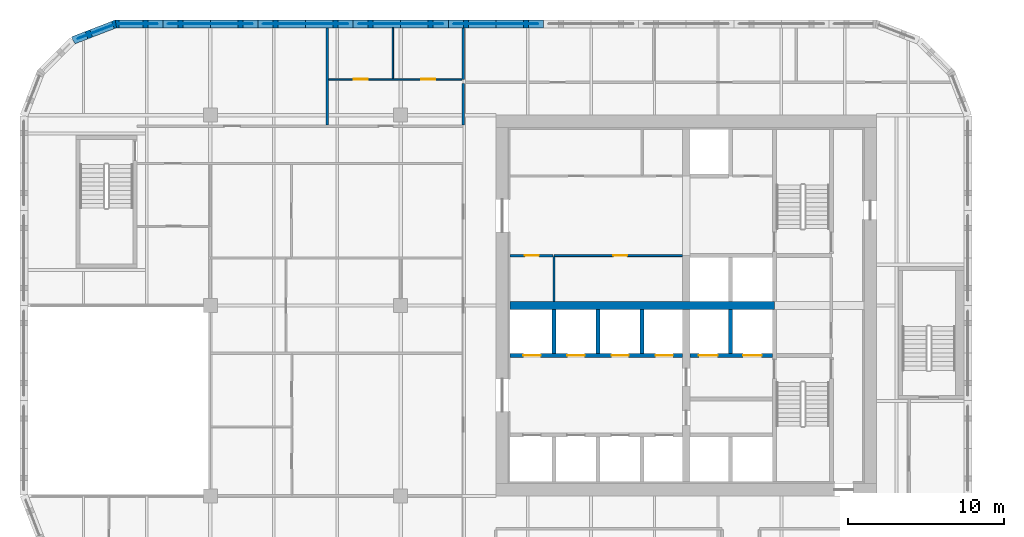
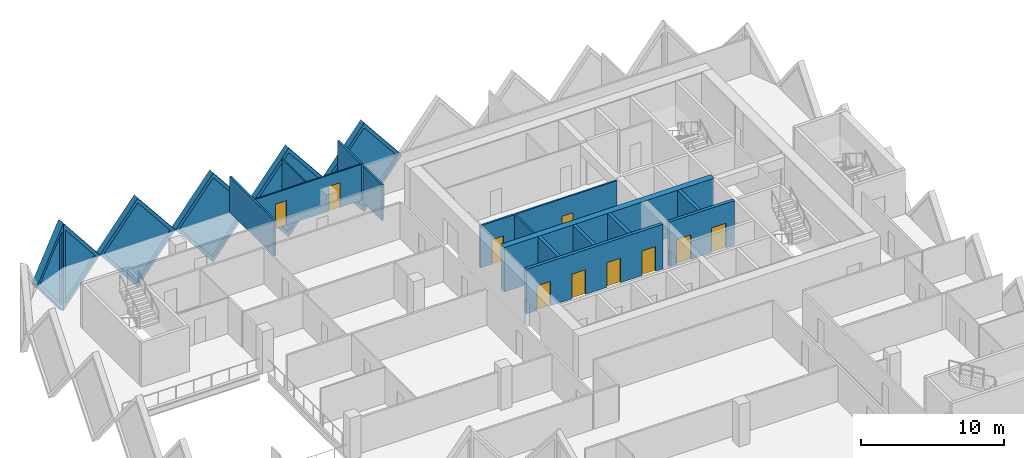
# One storey, part 9 of 19: 21 walls, 10 doors, 6 plates, 16 openings.
"""IFC4 building model written with IfcOpenShell, lengths in metres."""

from ifc_helpers import new_model, si_unit, direction, frame, frame_2d, origin, place, context, subcontext, project, spatial, polyline, rectangle, outline, extrude, faceted_brep, source, transform, mapped, material, layer, layer_set, type_object, element, fill, save


model = new_model("IFC4")

# Units and contexts
model_context = context("Model", 3, precision=1e-05, world=origin(), true_north=direction((0.0, 1.0)))
body_context = subcontext(model_context, "Body", "Model", "MODEL_VIEW")
ifc_project = project(units=[si_unit("LENGTHUNIT", "METRE"), si_unit("AREAUNIT", "SQUARE_METRE"), si_unit("VOLUMEUNIT", "CUBIC_METRE"), si_unit("PLANEANGLEUNIT", "RADIAN"), si_unit("MASSUNIT", "GRAM", prefix="KILO")], contexts=[model_context])

# Site, building, storey
site_placement = place(None, origin())
site = spatial("IfcSite", under=ifc_project, at=site_placement, CompositionType="ELEMENT")
building_placement = place(site_placement, origin())
building = spatial("IfcBuilding", under=site, at=building_placement, Name="Tessera Gate Towers", CompositionType="ELEMENT")
storey_placement = place(building_placement, frame((0.0, 0.0, 76.199951171875)))
storey = spatial("IfcBuildingStorey", under=building, at=storey_placement, Name="L18", CompositionType="ELEMENT", Elevation=76.199951171875)

# Wall, openings, doors
ifc_material_1 = material(Name="Concrete C40/50", Category="concrete")
ifc_layer_1 = layer(ifc_material_1, 0.25)
ifc_layer_set_1 = layer_set([ifc_layer_1], Name="CORE ENCLOSURE WALL 250")
wall_type_1 = type_object("IfcWallType", Name="CORE ENCLOSURE WALL 250", PredefinedType="SOLIDWALL", material=ifc_layer_set_1)
wall_1_placement = place(storey_placement, frame((42.449951171875, 33.39990234375, 0.0), z_axis=(0.0, 0.0, 1.0), x_axis=(-1.0, 0.0, 0.0)))
wall_1 = element("IfcWall", 1, at=wall_1_placement, inside=storey, type_object=wall_type_1, Name="L18 shaft and stair enclosure wall", PredefinedType="SOLIDWALL", context=body_context, shape_type="SweptSolid", body=[
    extrude(rectangle(XDim=11.050048828125, YDim=0.25, at=frame_2d((5.52490234375, 0.0))), origin(), (0.0, 0.0, 1.0), 3.800048828125),
])
shared_shape_1 = source(origin(), body_context, "Body", "SweptSolid", [
    extrude(rectangle(XDim=1.10009765625, YDim=2.10009765625, at=frame_2d((0.550048828125, 1.050048828125))), frame((0.0, 0.135009765625, 0.0), z_axis=(0.0, -1.0, 0.0), x_axis=(1.0, 0.0, 0.0)), (0.0, 0.0, 1.0), 0.27001953125),
])
opening_1_placement = place(wall_1_placement, frame((9.08740234375, 0.0, 0.0)))
opening_1 = element("IfcOpeningElement", 2, at=opening_1_placement, cuts=wall_1, Name="Opening LD-LR5", PredefinedType="OPENING", context=body_context, shape_type="MappedRepresentation", body=[
    mapped(shared_shape_1, transform((0.0, 0.0, 0.0), scale=1.0)),
])
opening_2_placement = place(wall_1_placement, frame((6.262451171875, 0.0, 0.0)))
opening_2 = element("IfcOpeningElement", 3, at=opening_2_placement, cuts=wall_1, Name="Opening LD-LR6", PredefinedType="OPENING", context=body_context, shape_type="MappedRepresentation", body=[
    mapped(shared_shape_1, transform((0.0, 0.0, 0.0), scale=1.0)),
])
opening_3_placement = place(wall_1_placement, frame((3.4375, 0.0, 0.0)))
opening_3 = element("IfcOpeningElement", 4, at=opening_3_placement, cuts=wall_1, Name="Opening LD-LR7", PredefinedType="OPENING", context=body_context, shape_type="MappedRepresentation", body=[
    mapped(shared_shape_1, transform((0.0, 0.0, 0.0), scale=1.0)),
])
opening_4_placement = place(wall_1_placement, frame((0.612548828125, 0.0, 0.0)))
opening_4 = element("IfcOpeningElement", 5, at=opening_4_placement, cuts=wall_1, Name="Opening LD-LR8", PredefinedType="OPENING", context=body_context, shape_type="MappedRepresentation", body=[
    mapped(shared_shape_1, transform((0.0, 0.0, 0.0), scale=1.0)),
])
ifc_material_2 = material(Name="Stainless steel", Category="steel")
door_type_1 = type_object("IfcDoorType", Name="CORE DOOR LD 1100x2100", OperationType="DOUBLE_DOOR_SLIDING", PredefinedType="DOOR", material=ifc_material_2)
shared_shape_2 = source(origin(), body_context, "Body", "SweptSolid", [
    extrude(rectangle(XDim=1.10009765625, YDim=2.10009765625, at=frame_2d((0.550048828125, 1.050048828125))), frame((0.0, 0.02490234375, 0.0), z_axis=(0.0, -1.0, 0.0), x_axis=(1.0, 0.0, 0.0)), (0.0, 0.0, 1.0), 0.050048828125),
])
door_1_placement = place(opening_1_placement, origin())
door_1 = element("IfcDoor", 6, at=door_1_placement, inside=storey, type_object=door_type_1, Name="Landing door LR5 L18", OperationType="DOUBLE_DOOR_SLIDING", OverallHeight=2.10009765625, OverallWidth=1.10009765625, PredefinedType="DOOR", context=body_context, shape_type="MappedRepresentation", body=[
    mapped(shared_shape_2, transform((0.0, 0.0, 0.0), scale=1.0)),
])
fill(opening_1, door_1)
door_2_placement = place(opening_2_placement, origin())
door_2 = element("IfcDoor", 7, at=door_2_placement, inside=storey, type_object=door_type_1, Name="Landing door LR6 L18", OperationType="DOUBLE_DOOR_SLIDING", OverallHeight=2.10009765625, OverallWidth=1.10009765625, PredefinedType="DOOR", context=body_context, shape_type="MappedRepresentation", body=[
    mapped(shared_shape_2, transform((0.0, 0.0, 0.0), scale=1.0)),
])
fill(opening_2, door_2)
door_3_placement = place(opening_3_placement, origin())
door_3 = element("IfcDoor", 8, at=door_3_placement, inside=storey, type_object=door_type_1, Name="Landing door LR7 L18", OperationType="DOUBLE_DOOR_SLIDING", OverallHeight=2.10009765625, OverallWidth=1.10009765625, PredefinedType="DOOR", context=body_context, shape_type="MappedRepresentation", body=[
    mapped(shared_shape_2, transform((0.0, 0.0, 0.0), scale=1.0)),
])
fill(opening_3, door_3)
door_4_placement = place(opening_4_placement, origin())
door_4 = element("IfcDoor", 9, at=door_4_placement, inside=storey, type_object=door_type_1, Name="Landing door LR8 L18", OperationType="DOUBLE_DOOR_SLIDING", OverallHeight=2.10009765625, OverallWidth=1.10009765625, PredefinedType="DOOR", context=body_context, shape_type="MappedRepresentation", body=[
    mapped(shared_shape_2, transform((0.0, 0.0, 0.0), scale=1.0)),
])
fill(opening_4, door_4)

wall_2_placement = place(storey_placement, frame((48.22509765625, 33.39990234375, 0.0), z_axis=(0.0, 0.0, 1.0), x_axis=(-1.0, 0.0, 0.0)))
wall_2 = element("IfcWall", 10, at=wall_2_placement, inside=storey, type_object=wall_type_1, Name="L18 shaft and stair enclosure wall", PredefinedType="SOLIDWALL", context=body_context, shape_type="SweptSolid", body=[
    extrude(rectangle(XDim=5.275146484375, YDim=0.25, at=frame_2d((2.6376953125, 0.0))), origin(), (0.0, 0.0, 1.0), 3.800048828125),
])
shared_shape_3 = source(origin(), body_context, "Body", "SweptSolid", [
    extrude(rectangle(XDim=1.199951171875, YDim=2.10009765625, at=frame_2d((0.60009765625, 1.050048828125))), frame((0.0, 0.135009765625, 0.0), z_axis=(0.0, -1.0, 0.0), x_axis=(1.0, 0.0, 0.0)), (0.0, 0.0, 1.0), 0.27001953125),
])
opening_5_placement = place(wall_2_placement, frame((3.512451171875, 0.0, 0.0)))
opening_5 = element("IfcOpeningElement", 11, at=opening_5_placement, cuts=wall_2, Name="Opening LD-FF1", PredefinedType="OPENING", context=body_context, shape_type="MappedRepresentation", body=[
    mapped(shared_shape_3, transform((0.0, 0.0, 0.0), scale=1.0)),
])
opening_6_placement = place(wall_2_placement, frame((0.6875, 0.0, 0.0)))
opening_6 = element("IfcOpeningElement", 12, at=opening_6_placement, cuts=wall_2, Name="Opening LD-FF2", PredefinedType="OPENING", context=body_context, shape_type="MappedRepresentation", body=[
    mapped(shared_shape_3, transform((0.0, 0.0, 0.0), scale=1.0)),
])
ifc_material_3 = material(Name="Stainless steel", Category="steel")
door_type_2 = type_object("IfcDoorType", Name="CORE DOOR LD1200 1200x2100", OperationType="DOUBLE_DOOR_SLIDING", PredefinedType="DOOR", material=ifc_material_3)
shared_shape_4 = source(origin(), body_context, "Body", "SweptSolid", [
    extrude(rectangle(XDim=1.199951171875, YDim=2.10009765625, at=frame_2d((0.60009765625, 1.050048828125))), frame((0.0, 0.02490234375, 0.0), z_axis=(0.0, -1.0, 0.0), x_axis=(1.0, 0.0, 0.0)), (0.0, 0.0, 1.0), 0.050048828125),
])
door_5_placement = place(opening_5_placement, origin())
door_5 = element("IfcDoor", 13, at=door_5_placement, inside=storey, type_object=door_type_2, Name="Landing door FF1 L18", OperationType="DOUBLE_DOOR_SLIDING", OverallHeight=2.10009765625, OverallWidth=1.199951171875, PredefinedType="DOOR", context=body_context, shape_type="MappedRepresentation", body=[
    mapped(shared_shape_4, transform((0.0, 0.0, 0.0), scale=1.0)),
])
fill(opening_5, door_5)
door_6_placement = place(opening_6_placement, origin())
door_6 = element("IfcDoor", 14, at=door_6_placement, inside=storey, type_object=door_type_2, Name="Landing door FF2 L18", OperationType="DOUBLE_DOOR_SLIDING", OverallHeight=2.10009765625, OverallWidth=1.199951171875, PredefinedType="DOOR", context=body_context, shape_type="MappedRepresentation", body=[
    mapped(shared_shape_4, transform((0.0, 0.0, 0.0), scale=1.0)),
])
fill(opening_6, door_6)

# Walls
for number, where, z_axis, x_axis, name in (
    (15, (45.52490234375, 33.52490234375, 0.0), (0.0, 0.0, 1.0), (0.0, 1.0, 0.0), "L18 shaft and stair enclosure wall"),
    (16, (34.22509765625, 33.52490234375, 0.0), (0.0, 0.0, 1.0), (0.0, 1.0, 0.0), "L18 shaft and stair enclosure wall"),
    (17, (37.050048828125, 33.52490234375, 0.0), (0.0, 0.0, 1.0), (0.0, 1.0, 0.0), "L18 shaft and stair enclosure wall"),
    (18, (39.875, 33.52490234375, 0.0), (0.0, 0.0, 1.0), (0.0, 1.0, 0.0), "L18 shaft and stair enclosure wall"),
):
    element("IfcWall", number, at=place(storey_placement, frame(where, z_axis=z_axis, x_axis=x_axis)), inside=storey, type_object=wall_type_1, Name=name, PredefinedType="SOLIDWALL", context=body_context, shape_type="SweptSolid", body=[
        extrude(rectangle(XDim=2.8251953125, YDim=0.25, at=frame_2d((1.41259765625, 0.0))), origin(), (0.0, 0.0, 1.0), 3.800048828125),
    ])

# Wall, opening, door
ifc_material_4 = material(Name="Gypsum board on steel studs", Category="steel")
ifc_layer_2 = layer(ifc_material_4, 0.1201171875)
ifc_layer_set_2 = layer_set([ifc_layer_2], Name="CORE PARTITION 120")
wall_type_2 = type_object("IfcWallType", Name="CORE PARTITION 120", PredefinedType="PARTITIONING", material=ifc_layer_set_2)
wall_3_placement = place(storey_placement, frame((42.449951171875, 39.800048828125, 0.0), z_axis=(0.0, 0.0, 1.0), x_axis=(-1.0, 0.0, 0.0)))
wall_3 = element("IfcWall", 19, at=wall_3_placement, inside=storey, type_object=wall_type_2, Name="L18 core partition", PredefinedType="PARTITIONING", context=body_context, shape_type="SweptSolid", body=[
    extrude(rectangle(XDim=8.224853515625, YDim=0.1201171875, at=frame_2d((4.1123046875, 0.0))), origin(), (0.0, 0.0, 1.0), 3.60009765625),
])
shared_shape_5 = source(origin(), body_context, "Body", "SweptSolid", [
    extrude(rectangle(XDim=0.89990234375, YDim=2.10009765625, at=frame_2d((0.449951171875, 1.050048828125))), frame((0.0, 0.070068359375, 0.0), z_axis=(0.0, -1.0, 0.0), x_axis=(1.0, 0.0, 0.0)), (0.0, 0.0, 1.0), 0.14013671875),
])
opening_7_placement = place(wall_3_placement, frame((3.53759765625, 0.0, 0.0)))
opening_7 = element("IfcOpeningElement", 20, at=opening_7_placement, cuts=wall_3, Name="Opening RD-T1-13-09", PredefinedType="OPENING", context=body_context, shape_type="MappedRepresentation", body=[
    mapped(shared_shape_5, transform((0.0, 0.0, 0.0), scale=1.0)),
])
ifc_material_5 = material(Name="Hollow steel fire door", Category="steel")
door_type_3 = type_object("IfcDoorType", Name="CORE DOOR RD 900x2100", OperationType="NOTDEFINED", PredefinedType="DOOR", material=ifc_material_5)
shared_shape_6 = source(origin(), body_context, "Body", "SweptSolid", [
    extrude(rectangle(XDim=0.89990234375, YDim=2.10009765625, at=frame_2d((0.449951171875, 1.050048828125))), frame((0.0, 0.02490234375, 0.0), z_axis=(0.0, -1.0, 0.0), x_axis=(1.0, 0.0, 0.0)), (0.0, 0.0, 1.0), 0.050048828125),
])
door_7_placement = place(opening_7_placement, origin())
door_7 = element("IfcDoor", 21, at=door_7_placement, inside=storey, type_object=door_type_3, Name="Core room door", OperationType="SINGLE_SWING_LEFT", OverallHeight=2.10009765625, OverallWidth=0.89990234375, PredefinedType="DOOR", context=body_context, shape_type="MappedRepresentation", body=[
    mapped(shared_shape_6, transform((0.0, 0.0, 0.0), scale=1.0)),
])
fill(opening_7, door_7)

# Walls
ifc_material_6 = material(Name="Concrete C60/75", Category="concrete")
ifc_layer_3 = layer(ifc_material_6, 0.5)
ifc_layer_set_3 = layer_set([ifc_layer_3], Name="CORE SPINE WALL 500 C60/75")
wall_type_3 = type_object("IfcWallType", Name="CORE SPINE WALL 500 C60/75", PredefinedType="SHEAR", material=ifc_layer_set_3)
wall_4_placement = place(storey_placement, frame((31.39990234375, 36.60009765625, 0.0), z_axis=(0.0, 0.0, 1.0), x_axis=(1.0, 0.0, 0.0)))
element("IfcWall", 22, at=wall_4_placement, inside=storey, type_object=wall_type_3, Name="Core wall spine L18", PredefinedType="SHEAR", context=body_context, shape_type="SweptSolid", body=[
    extrude(rectangle(XDim=16.9501953125, YDim=0.5, at=frame_2d((8.47509765625, 0.0))), origin(), (0.0, 0.0, 1.0), 3.800048828125),
])
ifc_material_7 = material(Name="Gypsum board on steel studs, mineral wool", Category="steel")
ifc_layer_4 = layer(ifc_material_7, 0.14990234375)
ifc_layer_set_4 = layer_set([ifc_layer_4], Name="CORRIDOR WALL 150")
wall_type_4 = type_object("IfcWallType", Name="CORRIDOR WALL 150", PredefinedType="PARTITIONING", material=ifc_layer_set_4)
wall_5_placement = place(storey_placement, frame((28.39990234375, 48.176025390625, 0.0), z_axis=(0.0, 0.0, 1.0), x_axis=(0.0, 1.0, 0.0)))
element("IfcWall", 23, at=wall_5_placement, inside=storey, type_object=wall_type_4, Name="T1-L18-PW-045", PredefinedType="PARTITIONING", context=body_context, shape_type="SweptSolid", body=[
    extrude(rectangle(XDim=2.64794921875, YDim=0.14990234375, at=frame_2d((1.323974609375, 0.0))), origin(), (0.0, 0.0, 1.0), 3.067138671875),
])

# Wall, openings, doors
ifc_material_8 = material(Name="Gypsum board on steel studs", Category="steel")
ifc_layer_5 = layer(ifc_material_8, 0.10009765625)
ifc_layer_set_5 = layer_set([ifc_layer_5], Name="PARTITION 100")
wall_type_5 = type_object("IfcWallType", Name="PARTITION 100", PredefinedType="PARTITIONING", material=ifc_layer_set_5)
wall_6_placement = place(storey_placement, frame((19.77587890625, 51.10009765625, 0.0), z_axis=(0.0, 0.0, 1.0), x_axis=(1.0, 0.0, 0.0)))
wall_6 = element("IfcWall", 24, at=wall_6_placement, inside=storey, type_object=wall_type_5, Name="T1-L18-PW-049", PredefinedType="PARTITIONING", context=body_context, shape_type="SweptSolid", body=[
    extrude(rectangle(XDim=8.548095703125, YDim=0.10009765625, at=frame_2d((4.27392578125, 0.0))), origin(), (0.0, 0.0, 1.0), 3.067138671875),
])
shared_shape_7 = source(origin(), body_context, "Body", "SweptSolid", [
    extrude(rectangle(XDim=0.89990234375, YDim=2.10009765625, at=frame_2d((0.449951171875, 1.050048828125))), frame((0.0, 0.06005859375, 0.0), z_axis=(0.0, -1.0, 0.0), x_axis=(1.0, 0.0, 0.0)), (0.0, 0.0, 1.0), 0.1201171875),
])
opening_8_placement = place(wall_6_placement, frame((1.60009765625, 0.0, 0.0)))
opening_8 = element("IfcOpeningElement", 25, at=opening_8_placement, cuts=wall_6, Name="Opening D190-A06-01", PredefinedType="OPENING", context=body_context, shape_type="MappedRepresentation", body=[
    mapped(shared_shape_7, transform((0.0, 0.0, 0.0), scale=1.0)),
])
opening_9_placement = place(wall_6_placement, frame((5.927001953125, 0.0, 0.0)))
opening_9 = element("IfcOpeningElement", 26, at=opening_9_placement, cuts=wall_6, Name="Opening D190-A06-03", PredefinedType="OPENING", context=body_context, shape_type="MappedRepresentation", body=[
    mapped(shared_shape_7, transform((0.0, 0.0, 0.0), scale=1.0)),
])
ifc_material_9 = material(Name="Timber door leaf in steel frame", Category="steel")
door_type_4 = type_object("IfcDoorType", Name="INTERNAL DOOR 900 NOT RATED", OperationType="NOTDEFINED", PredefinedType="DOOR", material=ifc_material_9)
door_8_placement = place(opening_8_placement, origin())
door_8 = element("IfcDoor", 27, at=door_8_placement, inside=storey, type_object=door_type_4, Name="T1-L18-PD-002", OperationType="SINGLE_SWING_LEFT", OverallHeight=2.10009765625, OverallWidth=0.89990234375, PredefinedType="DOOR", context=body_context, shape_type="MappedRepresentation", body=[
    mapped(shared_shape_6, transform((0.0, 0.0, 0.0), scale=1.0)),
])
fill(opening_8, door_8)
door_9_placement = place(opening_9_placement, origin())
door_9 = element("IfcDoor", 28, at=door_9_placement, inside=storey, type_object=door_type_4, Name="T1-L18-PD-005", OperationType="SINGLE_SWING_LEFT", OverallHeight=2.10009765625, OverallWidth=0.89990234375, PredefinedType="DOOR", context=body_context, shape_type="MappedRepresentation", body=[
    mapped(shared_shape_6, transform((0.0, 0.0, 0.0), scale=1.0)),
])
fill(opening_9, door_9)

# Walls
wall_7_placement = place(storey_placement, frame((23.903076171875, 51.15087890625, 0.0), z_axis=(0.0, 0.0, 1.0), x_axis=(0.0, 1.0, 0.0)))
element("IfcWall", 29, at=wall_7_placement, inside=storey, type_object=wall_type_5, Name="T1-L18-PW-051", PredefinedType="PARTITIONING", context=body_context, shape_type="SweptSolid", body=[
    extrude(rectangle(XDim=3.2490234375, YDim=0.10009765625, at=frame_2d((1.62451171875, 0.0))), origin(), (0.0, 0.0, 1.0), 3.067138671875),
])
ifc_material_10 = material(Name="Gypsum board on steel studs", Category="steel")
ifc_layer_6 = layer(ifc_material_10, 0.14990234375)
ifc_layer_set_6 = layer_set([ifc_layer_6], Name="SERVICE ROOM WALL 150")
wall_type_6 = type_object("IfcWallType", Name="SERVICE ROOM WALL 150", PredefinedType="PARTITIONING", material=ifc_layer_set_6)
wall_8_placement = place(storey_placement, frame((34.22509765625, 36.85009765625, 0.0), z_axis=(0.0, 0.0, 1.0), x_axis=(0.0, 1.0, 0.0)))
element("IfcWall", 30, at=wall_8_placement, inside=storey, type_object=wall_type_6, Name="L18 service room wall", PredefinedType="PARTITIONING", context=body_context, shape_type="SweptSolid", body=[
    extrude(rectangle(XDim=2.889892578125, YDim=0.14990234375, at=frame_2d((1.44482421875, 0.0))), origin(), (0.0, 0.0, 1.0), 3.60009765625),
])

# Wall, opening, door
wall_9_placement = place(storey_placement, frame((34.14990234375, 39.800048828125, 0.0), z_axis=(0.0, 0.0, 1.0), x_axis=(-1.0, 0.0, 0.0)))
wall_9 = element("IfcWall", 31, at=wall_9_placement, inside=storey, type_object=wall_type_6, Name="L18 service room wall", PredefinedType="PARTITIONING", context=body_context, shape_type="SweptSolid", body=[
    extrude(rectangle(XDim=2.75, YDim=0.14990234375, at=frame_2d((1.375, 0.0))), origin(), (0.0, 0.0, 1.0), 3.60009765625),
])
shared_shape_8 = source(origin(), body_context, "Body", "SweptSolid", [
    extrude(rectangle(XDim=0.89990234375, YDim=2.10009765625, at=frame_2d((0.449951171875, 1.050048828125))), frame((0.0, 0.0849609375, 0.0), z_axis=(0.0, -1.0, 0.0), x_axis=(1.0, 0.0, 0.0)), (0.0, 0.0, 1.0), 0.169921875),
])
opening_10_placement = place(wall_9_placement, frame((0.887451171875, 0.0, 0.0)))
opening_10 = element("IfcOpeningElement", 32, at=opening_10_placement, cuts=wall_9, Name="Opening RD-T1-13-12", PredefinedType="OPENING", context=body_context, shape_type="MappedRepresentation", body=[
    mapped(shared_shape_8, transform((0.0, 0.0, 0.0), scale=1.0)),
])
door_10_placement = place(opening_10_placement, origin())
door_10 = element("IfcDoor", 33, at=door_10_placement, inside=storey, type_object=door_type_3, Name="Core room door", OperationType="SINGLE_SWING_LEFT", OverallHeight=2.10009765625, OverallWidth=0.89990234375, PredefinedType="DOOR", context=body_context, shape_type="MappedRepresentation", body=[
    mapped(shared_shape_6, transform((0.0, 0.0, 0.0), scale=1.0)),
])
fill(opening_10, door_10)

# Walls
ifc_material_11 = material(Name="Gypsum board on steel studs, mineral wool", Category="steel")
ifc_layer_7 = layer(ifc_material_11, 0.14990234375)
ifc_layer_set_7 = layer_set([ifc_layer_7], Name="TENANCY WALL 150")
wall_type_7 = type_object("IfcWallType", Name="TENANCY WALL 150", PredefinedType="PARTITIONING", material=ifc_layer_set_7)
wall_10_placement = place(storey_placement, frame((19.699951171875, 48.176025390625, 0.0), z_axis=(0.0, 0.0, 1.0), x_axis=(0.0, 1.0, 0.0)))
element("IfcWall", 34, at=wall_10_placement, inside=storey, type_object=wall_type_7, Name="T1-L18-PW-044", PredefinedType="PARTITIONING", context=body_context, shape_type="SweptSolid", body=[
    extrude(rectangle(XDim=6.223876953125, YDim=0.14990234375, at=frame_2d((3.11181640625, 0.0))), origin(), (0.0, 0.0, 1.0), 3.067138671875),
])
wall_11_placement = place(storey_placement, frame((28.39990234375, 51.10009765625, 0.0), z_axis=(0.0, 0.0, 1.0), x_axis=(0.0, 1.0, 0.0)))
element("IfcWall", 35, at=wall_11_placement, inside=storey, type_object=wall_type_7, Name="T1-L18-PW-050", PredefinedType="PARTITIONING", context=body_context, shape_type="SweptSolid", body=[
    extrude(rectangle(XDim=3.2998046875, YDim=0.14990234375, at=frame_2d((1.64990234375, 0.0))), origin(), (0.0, 0.0, 1.0), 3.067138671875),
])

# Wall, opening, plate
ifc_material_12 = material(Name="Precast concrete C60/75 white", Category="concrete")
ifc_layer_8 = layer(ifc_material_12, 0.5)
ifc_layer_set_8 = layer_set([ifc_layer_8], Name="TS1 tessera")
wall_type_8 = type_object("IfcWallType", Name="TS1 tessera", PredefinedType="SOLIDWALL", material=ifc_layer_set_8)
shared_shape_9 = source(origin(), body_context, "Body", "Brep", [
    faceted_brep([(3.050048828125, -0.25, 0.0), (6.099853515625, -0.25, 3.7998046875), (6.099853515625, -0.25, 3.80029296875), (3.050048828125, -0.25, 7.60009765625), (0.0, -0.25, 3.800048828125), (0.0, 0.25, 3.800048828125), (3.050048828125, 0.25, 7.60009765625), (6.099853515625, 0.25, 3.80029296875), (6.099853515625, 0.25, 3.7998046875), (3.050048828125, 0.25, 0.0)], [[[0, 1, 2, 3, 4]], [[5, 6, 7, 8, 9]], [[9, 8, 1, 0]], [[7, 6, 3, 2]], [[6, 5, 4, 3]], [[5, 9, 0, 4]], [[1, 8, 7, 2]]]),
])
wall_12_placement = place(storey_placement, frame((27.449951171875, 54.64990234375, -3.800048828125), z_axis=(0.0, 0.0, 1.0), x_axis=(-1.0, 0.0, 0.0)))
wall_12 = element("IfcWall", 36, at=wall_12_placement, inside=storey, type_object=wall_type_8, Name="Precast tessera T1 TS1-0267", PredefinedType="SOLIDWALL", context=body_context, shape_type="MappedRepresentation", body=[
    mapped(shared_shape_9, transform((0.0, 0.0, 0.0), scale=1.0)),
])
shared_shape_10 = source(origin(), body_context, "Body", "SweptSolid", [
    extrude(outline(polyline([(3.050048828125, 0.3994140625), (5.779541015625, 3.800048828125), (3.050048828125, 7.20068359375), (0.320556640625, 3.800048828125), (3.050048828125, 0.3994140625)])), frame((0.0, 0.260009765625, 0.0), z_axis=(0.0, -1.0, 0.0), x_axis=(1.0, 0.0, 0.0)), (0.0, 0.0, 1.0), 0.52001953125),
])
opening_11_placement = place(wall_12_placement, origin())
opening_11 = element("IfcOpeningElement", 37, at=opening_11_placement, cuts=wall_12, Name="Opening T1-PL2-0541", PredefinedType="OPENING", context=body_context, shape_type="MappedRepresentation", body=[
    mapped(shared_shape_10, transform((0.0, 0.0, 0.0), scale=1.0)),
])
ifc_material_13 = material(Name="Low-e laminated glass", Category="glass")
ifc_layer_9 = layer(ifc_material_13, 0.06005859375)
ifc_layer_set_9 = layer_set([ifc_layer_9], Name="PL2 rhombic pane")
plate_type = type_object("IfcPlateType", Name="PL2 rhombic pane", PredefinedType="SHEET", material=ifc_layer_set_9)
shared_shape_11 = source(origin(), body_context, "Body", "SweptSolid", [
    extrude(outline(polyline([(3.050048828125, 0.3994140625), (5.779541015625, 3.800048828125), (3.050048828125, 7.20068359375), (0.320556640625, 3.800048828125), (3.050048828125, 0.3994140625)])), frame((0.0, 0.030029296875, 0.0), z_axis=(0.0, -1.0, 0.0), x_axis=(1.0, 0.0, 0.0)), (0.0, 0.0, 1.0), 0.06005859375),
])
plate_1_placement = place(opening_11_placement, origin())
plate_1 = element("IfcPlate", 38, at=plate_1_placement, inside=storey, type_object=plate_type, Name="Glass pane T1 PL2-0541", PredefinedType="SHEET", context=body_context, shape_type="MappedRepresentation", body=[
    mapped(shared_shape_11, transform((0.0, 0.0, 0.0), scale=1.0)),
])
fill(opening_11, plate_1)

shared_shape_12 = source(origin(), body_context, "Body", "SweptSolid", [
    extrude(outline(polyline([(3.050048828125, 0.0), (6.10009765625, 3.800048828125), (3.050048828125, 7.60009765625), (0.0, 3.800048828125), (3.050048828125, 0.0)])), frame((0.0, 0.25, 0.0), z_axis=(0.0, -1.0, 0.0), x_axis=(1.0, 0.0, 0.0)), (0.0, 0.0, 1.0), 0.5),
])
wall_13_placement = place(storey_placement, frame((33.550048828125, 54.64990234375, -3.800048828125), z_axis=(0.0, 0.0, 1.0), x_axis=(-1.0, 0.0, 0.0)))
wall_13 = element("IfcWall", 39, at=wall_13_placement, inside=storey, type_object=wall_type_8, Name="Precast tessera T1 TS1-0266", PredefinedType="SOLIDWALL", context=body_context, shape_type="MappedRepresentation", body=[
    mapped(shared_shape_12, transform((0.0, 0.0, 0.0), scale=1.0)),
])
opening_12_placement = place(wall_13_placement, origin())
opening_12 = element("IfcOpeningElement", 40, at=opening_12_placement, cuts=wall_13, Name="Opening T1-PL2-0540", PredefinedType="OPENING", context=body_context, shape_type="MappedRepresentation", body=[
    mapped(shared_shape_10, transform((0.0, 0.0, 0.0), scale=1.0)),
])
plate_2_placement = place(opening_12_placement, origin())
plate_2 = element("IfcPlate", 41, at=plate_2_placement, inside=storey, type_object=plate_type, Name="Glass pane T1 PL2-0540", PredefinedType="SHEET", context=body_context, shape_type="MappedRepresentation", body=[
    mapped(shared_shape_11, transform((0.0, 0.0, 0.0), scale=1.0)),
])
fill(opening_12, plate_2)

wall_14_placement = place(storey_placement, frame((21.35009765625, 54.64990234375, -3.800048828125), z_axis=(0.0, 0.0, 1.0), x_axis=(-1.0, 0.0, 0.0)))
wall_14 = element("IfcWall", 42, at=wall_14_placement, inside=storey, type_object=wall_type_8, Name="Precast tessera T1 TS1-0268", PredefinedType="SOLIDWALL", context=body_context, shape_type="MappedRepresentation", body=[
    mapped(shared_shape_12, transform((0.0, 0.0, 0.0), scale=1.0)),
])
opening_13_placement = place(wall_14_placement, origin())
opening_13 = element("IfcOpeningElement", 43, at=opening_13_placement, cuts=wall_14, Name="Opening T1-PL2-0542", PredefinedType="OPENING", context=body_context, shape_type="MappedRepresentation", body=[
    mapped(shared_shape_10, transform((0.0, 0.0, 0.0), scale=1.0)),
])
plate_3_placement = place(opening_13_placement, origin())
plate_3 = element("IfcPlate", 44, at=plate_3_placement, inside=storey, type_object=plate_type, Name="Glass pane T1 PL2-0542", PredefinedType="SHEET", context=body_context, shape_type="MappedRepresentation", body=[
    mapped(shared_shape_11, transform((0.0, 0.0, 0.0), scale=1.0)),
])
fill(opening_13, plate_3)

wall_15_placement = place(storey_placement, frame((15.25, 54.64990234375, -3.800048828125), z_axis=(0.0, 0.0, 1.0), x_axis=(-1.0, 0.0, 0.0)))
wall_15 = element("IfcWall", 45, at=wall_15_placement, inside=storey, type_object=wall_type_8, Name="Precast tessera T1 TS1-0269", PredefinedType="SOLIDWALL", context=body_context, shape_type="MappedRepresentation", body=[
    mapped(shared_shape_12, transform((0.0, 0.0, 0.0), scale=1.0)),
])
opening_14_placement = place(wall_15_placement, origin())
opening_14 = element("IfcOpeningElement", 46, at=opening_14_placement, cuts=wall_15, Name="Opening T1-PL2-0543", PredefinedType="OPENING", context=body_context, shape_type="MappedRepresentation", body=[
    mapped(shared_shape_10, transform((0.0, 0.0, 0.0), scale=1.0)),
])
plate_4_placement = place(opening_14_placement, origin())
plate_4 = element("IfcPlate", 47, at=plate_4_placement, inside=storey, type_object=plate_type, Name="Glass pane T1 PL2-0543", PredefinedType="SHEET", context=body_context, shape_type="MappedRepresentation", body=[
    mapped(shared_shape_11, transform((0.0, 0.0, 0.0), scale=1.0)),
])
fill(opening_14, plate_4)

ifc_material_14 = material(Name="Precast concrete C60/75 white", Category="concrete")
ifc_layer_10 = layer(ifc_material_14, 0.5)
ifc_layer_set_10 = layer_set([ifc_layer_10], Name="TS3 corner tessera")
wall_type_9 = type_object("IfcWallType", Name="TS3 corner tessera", PredefinedType="SOLIDWALL", material=ifc_layer_set_10)
shared_shape_13 = source(origin(), body_context, "Body", "Brep", [
    faceted_brep([(3.00341796875, -0.25, 0.0), (3.050048828125, -0.25, 0.06005859375), (3.050048828125, -0.25, 7.5400390625), (3.00341796875, -0.25, 7.60009765625), (0.0, -0.25, 3.800048828125), (0.0, 0.25, 3.800048828125), (2.956787109375, 0.25, 7.541259765625), (2.956787109375, 0.25, 0.058837890625), (3.00341796875, 0.000244140625, 0.0), (3.00341796875, 0.000244140625, 7.60009765625)], [[[0, 1, 2, 3, 4]], [[5, 6, 7]], [[1, 0, 8]], [[9, 3, 2]], [[6, 5, 4, 3, 9]], [[5, 7, 8, 0, 4]], [[1, 8, 7, 6, 9, 2]]]),
])
wall_16_placement = place(storey_placement, frame((9.14990234375, 54.64990234375, -3.800048828125), z_axis=(0.0, 0.0, 1.0), x_axis=(-1.0, 0.0, 0.0)))
wall_16 = element("IfcWall", 48, at=wall_16_placement, inside=storey, type_object=wall_type_9, Name="Precast corner tessera T1 TS3-0395", PredefinedType="SOLIDWALL", context=body_context, shape_type="MappedRepresentation", body=[
    mapped(shared_shape_13, transform((0.0, 0.0, 0.0), scale=1.0)),
])
shared_shape_14 = source(origin(), body_context, "Body", "SweptSolid", [
    extrude(outline(polyline([(2.803466796875, 6.94384765625), (0.318603515625, 3.800048828125), (2.803466796875, 0.65625), (2.803466796875, 6.94384765625)])), frame((0.0, 0.260009765625, 0.0), z_axis=(0.0, -1.0, 0.0), x_axis=(1.0, 0.0, 0.0)), (0.0, 0.0, 1.0), 0.52001953125),
])
opening_15_placement = place(wall_16_placement, origin())
opening_15 = element("IfcOpeningElement", 49, at=opening_15_placement, cuts=wall_16, Name="Opening T1-PL2-0544", PredefinedType="OPENING", context=body_context, shape_type="MappedRepresentation", body=[
    mapped(shared_shape_14, transform((0.0, 0.0, 0.0), scale=1.0)),
])
shared_shape_15 = source(origin(), body_context, "Body", "SweptSolid", [
    extrude(outline(polyline([(2.803466796875, 6.94384765625), (0.318603515625, 3.800048828125), (2.803466796875, 0.65625), (2.803466796875, 6.94384765625)])), frame((0.0, 0.030029296875, 0.0), z_axis=(0.0, -1.0, 0.0), x_axis=(1.0, 0.0, 0.0)), (0.0, 0.0, 1.0), 0.06005859375),
])
plate_5_placement = place(opening_15_placement, origin())
plate_5 = element("IfcPlate", 50, at=plate_5_placement, inside=storey, type_object=plate_type, Name="Glass pane T1 PL2-0544", PredefinedType="SHEET", context=body_context, shape_type="MappedRepresentation", body=[
    mapped(shared_shape_15, transform((0.0, 0.0, 0.0), scale=1.0)),
])
fill(opening_15, plate_5)

shared_shape_16 = source(origin(), body_context, "Body", "Brep", [
    faceted_brep([(0.046630859375, -0.25, 0.0), (2.9970703125, -0.25, 3.800048828125), (0.046630859375, -0.25, 7.60009765625), (0.0, -0.25, 7.541259765625), (0.0, -0.25, 0.058837890625), (0.09326171875, 0.25, 7.5400390625), (2.9443359375, 0.25, 3.8681640625), (2.9443359375, 0.25, 3.73193359375), (0.09326171875, 0.25, 0.06005859375), (2.9970703125, 0.00048828125, 3.800048828125), (0.046630859375, 0.0, 0.0), (0.046630859375, 0.0, 7.60009765625)], [[[0, 1, 2, 3, 4]], [[5, 6, 7, 8]], [[8, 7, 9, 1, 0, 10]], [[6, 5, 11, 2, 1, 9]], [[3, 2, 11]], [[10, 0, 4]], [[8, 10, 4, 3, 11, 5]], [[9, 7, 6]]]),
])
wall_17_placement = place(storey_placement, frame((6.18994140625, 54.666748046875, -3.800048828125), z_axis=(0.0, 0.0, 1.0), x_axis=(-0.932990326376, -0.359901446078, 0.0)))
wall_17 = element("IfcWall", 51, at=wall_17_placement, inside=storey, type_object=wall_type_9, Name="Precast corner tessera T1 TS3-0396", PredefinedType="SOLIDWALL", context=body_context, shape_type="MappedRepresentation", body=[
    mapped(shared_shape_16, transform((0.0, 0.0, 0.0), scale=1.0)),
])
shared_shape_17 = source(origin(), body_context, "Body", "SweptSolid", [
    extrude(outline(polyline([(0.24658203125, 0.665283203125), (2.6806640625, 3.800048828125), (0.24658203125, 6.934814453125), (0.24658203125, 0.665283203125)])), frame((0.0, 0.260009765625, 0.0), z_axis=(0.0, -1.0, 0.0), x_axis=(1.0, 0.0, 0.0)), (0.0, 0.0, 1.0), 0.52001953125),
])
opening_16_placement = place(wall_17_placement, origin())
opening_16 = element("IfcOpeningElement", 52, at=opening_16_placement, cuts=wall_17, Name="Opening T1-PL2-0545", PredefinedType="OPENING", context=body_context, shape_type="MappedRepresentation", body=[
    mapped(shared_shape_17, transform((0.0, 0.0, 0.0), scale=1.0)),
])
shared_shape_18 = source(origin(), body_context, "Body", "SweptSolid", [
    extrude(outline(polyline([(0.24658203125, 0.665283203125), (2.6806640625, 3.800048828125), (0.24658203125, 6.934814453125), (0.24658203125, 0.665283203125)])), frame((0.0, 0.030029296875, 0.0), z_axis=(0.0, -1.0, 0.0), x_axis=(1.0, 0.0, 0.0)), (0.0, 0.0, 1.0), 0.06005859375),
])
plate_6_placement = place(opening_16_placement, origin())
plate_6 = element("IfcPlate", 53, at=plate_6_placement, inside=storey, type_object=plate_type, Name="Glass pane T1 PL2-0545", PredefinedType="SHEET", context=body_context, shape_type="MappedRepresentation", body=[
    mapped(shared_shape_18, transform((0.0, 0.0, 0.0), scale=1.0)),
])
fill(opening_16, plate_6)

save(model, "model.ifc")
